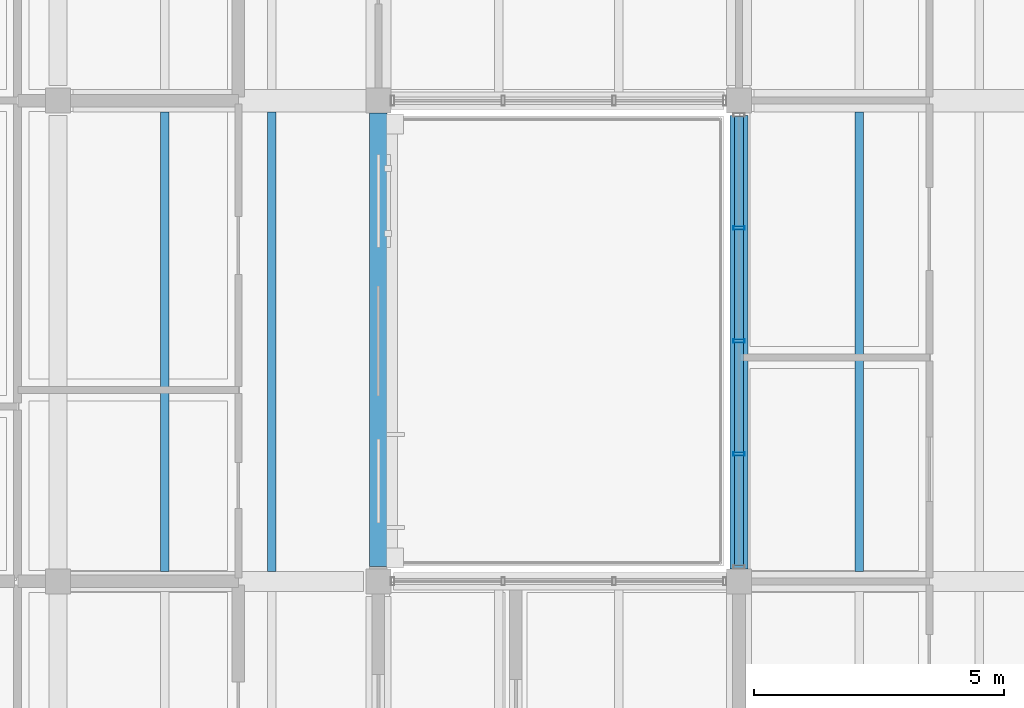
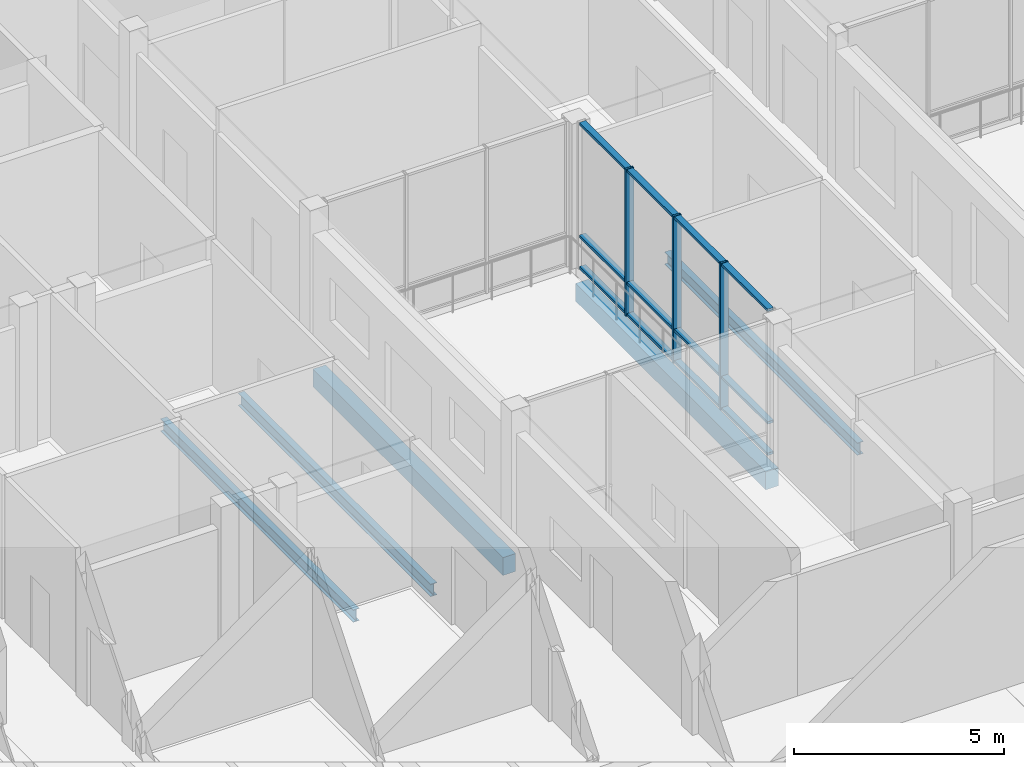
# One storey, part 83 of 146: 15 members, 5 beams, 1 element without a shape of its own.
"""IFC4 building model written with IfcOpenShell, lengths in metres."""

from ifc_helpers import new_model, si_unit, direction, frame, origin, origin_2d, place, context, subcontext, project, spatial, rectangle, hollow_rectangle, i_section, extrude, material, material_profile, profile_set, type_object, element, aggregate, save


model = new_model("IFC4")

# Units and contexts
model_context = context("Model", 3, precision=1e-05, world=origin(), true_north=direction((0.0, 1.0)))
body_context = subcontext(model_context, "Body", "Model", "MODEL_VIEW")
ifc_project = project(units=[si_unit("LENGTHUNIT", "METRE"), si_unit("AREAUNIT", "SQUARE_METRE"), si_unit("VOLUMEUNIT", "CUBIC_METRE"), si_unit("PLANEANGLEUNIT", "RADIAN"), si_unit("MASSUNIT", "GRAM", prefix="KILO")], contexts=[model_context])

# Site, building, storey
site_placement = place(None, origin())
site = spatial("IfcSite", under=ifc_project, at=site_placement, CompositionType="ELEMENT")
building_placement = place(site_placement, origin())
building = spatial("IfcBuilding", under=site, at=building_placement, Name="Hawrajan Terrace Health Centre", CompositionType="ELEMENT")
storey_placement = place(building_placement, frame((0.0, 0.0, 4.5)))
storey = spatial("IfcBuildingStorey", under=building, at=storey_placement, Name="L01", CompositionType="ELEMENT", Elevation=4.5)

# Curtain wall, members
ifc_material_1 = material(Name="Anodized bronze aluminium and low-E solar glazing", Category="aluminium")
curtain_wall_type = type_object("IfcCurtainWallType", Name="CW_Hall_SeriesD2", PredefinedType="USERDEFINED", material=ifc_material_1)
curtain_wall_placement = place(storey_placement, origin())
curtain_wall = element("IfcCurtainWall", 1, at=curtain_wall_placement, inside=storey, type_object=curtain_wall_type, Name="Curtain wall CW-L01-107", ObjectType="UNITISED CURTAIN WALL", PredefinedType="USERDEFINED")
ifc_material_2 = material(Name="Anodized bronze aluminium 6063-T6", Category="aluminium")
ifc_material_profile_1 = material_profile(ifc_material_2, hollow_rectangle(XDim=0.074951171875, YDim=0.219970703125, WallThickness=0.0048828125, at=origin_2d()), Name="CW MUL 75x220")
ifc_profile_set_1 = profile_set([ifc_material_profile_1], Name="Anodized bronze aluminium 6063-T6")
member_type_1 = type_object("IfcMemberType", Name="CWMullion_75x220", PredefinedType="MULLION", material=ifc_profile_set_1)
member_1_placement = place(storey_placement, frame((143.800048828125, 29.74365234375, -0.0048828125), z_axis=(0.0, 0.0, 1.0), x_axis=(0.0, 1.0, 0.0)))
member_1 = element("IfcMember", 2, at=member_1_placement, type_object=member_type_1, Name="Mullion CW-L01-107-M2", PredefinedType="MULLION", context=body_context, shape_type="SweptSolid", body=[
    extrude(hollow_rectangle(XDim=0.074951171875, YDim=0.219970703125, WallThickness=0.0048828125, at=origin_2d()), origin(), (0.0, 0.0, 1.0), 4.269775390625),
])
member_2_placement = place(storey_placement, frame((143.800048828125, 32.0, -0.0048828125), z_axis=(0.0, 0.0, 1.0), x_axis=(0.0, 1.0, 0.0)))
member_2 = element("IfcMember", 3, at=member_2_placement, type_object=member_type_1, Name="Mullion CW-L01-107-M3", PredefinedType="MULLION", context=body_context, shape_type="SweptSolid", body=[
    extrude(hollow_rectangle(XDim=0.074951171875, YDim=0.219970703125, WallThickness=0.0048828125, at=origin_2d()), origin(), (0.0, 0.0, 1.0), 4.269775390625),
])
member_3_placement = place(storey_placement, frame((143.800048828125, 34.256103515625, -0.0048828125), z_axis=(0.0, 0.0, 1.0), x_axis=(0.0, 1.0, 0.0)))
member_3 = element("IfcMember", 4, at=member_3_placement, type_object=member_type_1, Name="Mullion CW-L01-107-M4", PredefinedType="MULLION", context=body_context, shape_type="SweptSolid", body=[
    extrude(hollow_rectangle(XDim=0.074951171875, YDim=0.219970703125, WallThickness=0.0048828125, at=origin_2d()), origin(), (0.0, 0.0, 1.0), 4.269775390625),
])
ifc_material_profile_2 = material_profile(ifc_material_2, hollow_rectangle(XDim=0.074951171875, YDim=0.169921875, WallThickness=0.00439453125, at=origin_2d()), Name="CW TRN 75x170")
ifc_profile_set_2 = profile_set([ifc_material_profile_2], Name="Anodized bronze aluminium 6063-T6")
member_type_2 = type_object("IfcMemberType", Name="CWTransom_75x170", PredefinedType="USERDEFINED", material=ifc_profile_set_2)
member_4_placement = place(storey_placement, frame((143.800048828125, 27.51904296875, 0.03759765625), z_axis=(0.0, 1.0, 0.0), x_axis=(0.0, 0.0, 1.0)))
member_4 = element("IfcMember", 5, at=member_4_placement, type_object=member_type_2, Name="Transom CW-L01-107-T1-1", ObjectType="TRANSOM", PredefinedType="USERDEFINED", context=body_context, shape_type="SweptSolid", body=[
    extrude(hollow_rectangle(XDim=0.074951171875, YDim=0.169921875, WallThickness=0.00439453125, at=origin_2d()), origin(), (0.0, 0.0, 1.0), 2.193115234375),
])
member_5_placement = place(storey_placement, frame((143.800048828125, 27.51904296875, 0.949951171875), z_axis=(0.0, 1.0, 0.0), x_axis=(0.0, 0.0, 1.0)))
member_5 = element("IfcMember", 6, at=member_5_placement, type_object=member_type_2, Name="Transom CW-L01-107-T1-2", ObjectType="TRANSOM", PredefinedType="USERDEFINED", context=body_context, shape_type="SweptSolid", body=[
    extrude(hollow_rectangle(XDim=0.074951171875, YDim=0.169921875, WallThickness=0.00439453125, at=origin_2d()), origin(), (0.0, 0.0, 1.0), 2.193115234375),
])
member_6_placement = place(storey_placement, frame((143.800048828125, 27.51904296875, 4.222412109375), z_axis=(0.0, 1.0, 0.0), x_axis=(0.0, 0.0, 1.0)))
member_6 = element("IfcMember", 7, at=member_6_placement, type_object=member_type_2, Name="Transom CW-L01-107-T1-3", ObjectType="TRANSOM", PredefinedType="USERDEFINED", context=body_context, shape_type="SweptSolid", body=[
    extrude(hollow_rectangle(XDim=0.074951171875, YDim=0.169921875, WallThickness=0.00439453125, at=origin_2d()), origin(), (0.0, 0.0, 1.0), 2.193115234375),
])
member_7_placement = place(storey_placement, frame((143.800048828125, 29.775146484375, 0.03759765625), z_axis=(0.0, 1.0, 0.0), x_axis=(0.0, 0.0, 1.0)))
member_7 = element("IfcMember", 8, at=member_7_placement, type_object=member_type_2, Name="Transom CW-L01-107-T2-1", ObjectType="TRANSOM", PredefinedType="USERDEFINED", context=body_context, shape_type="SweptSolid", body=[
    extrude(hollow_rectangle(XDim=0.074951171875, YDim=0.169921875, WallThickness=0.00439453125, at=origin_2d()), origin(), (0.0, 0.0, 1.0), 2.193359375),
])
member_8_placement = place(storey_placement, frame((143.800048828125, 29.775146484375, 0.949951171875), z_axis=(0.0, 1.0, 0.0), x_axis=(0.0, 0.0, 1.0)))
member_8 = element("IfcMember", 9, at=member_8_placement, type_object=member_type_2, Name="Transom CW-L01-107-T2-2", ObjectType="TRANSOM", PredefinedType="USERDEFINED", context=body_context, shape_type="SweptSolid", body=[
    extrude(hollow_rectangle(XDim=0.074951171875, YDim=0.169921875, WallThickness=0.00439453125, at=origin_2d()), origin(), (0.0, 0.0, 1.0), 2.193359375),
])
member_9_placement = place(storey_placement, frame((143.800048828125, 29.775146484375, 4.222412109375), z_axis=(0.0, 1.0, 0.0), x_axis=(0.0, 0.0, 1.0)))
member_9 = element("IfcMember", 10, at=member_9_placement, type_object=member_type_2, Name="Transom CW-L01-107-T2-3", ObjectType="TRANSOM", PredefinedType="USERDEFINED", context=body_context, shape_type="SweptSolid", body=[
    extrude(hollow_rectangle(XDim=0.074951171875, YDim=0.169921875, WallThickness=0.00439453125, at=origin_2d()), origin(), (0.0, 0.0, 1.0), 2.193359375),
])
member_10_placement = place(storey_placement, frame((143.800048828125, 32.031494140625, 0.03759765625), z_axis=(0.0, 1.0, 0.0), x_axis=(0.0, 0.0, 1.0)))
member_10 = element("IfcMember", 11, at=member_10_placement, type_object=member_type_2, Name="Transom CW-L01-107-T3-1", ObjectType="TRANSOM", PredefinedType="USERDEFINED", context=body_context, shape_type="SweptSolid", body=[
    extrude(hollow_rectangle(XDim=0.074951171875, YDim=0.169921875, WallThickness=0.00439453125, at=origin_2d()), origin(), (0.0, 0.0, 1.0), 2.193359375),
])
member_11_placement = place(storey_placement, frame((143.800048828125, 32.031494140625, 0.949951171875), z_axis=(0.0, 1.0, 0.0), x_axis=(0.0, 0.0, 1.0)))
member_11 = element("IfcMember", 12, at=member_11_placement, type_object=member_type_2, Name="Transom CW-L01-107-T3-2", ObjectType="TRANSOM", PredefinedType="USERDEFINED", context=body_context, shape_type="SweptSolid", body=[
    extrude(hollow_rectangle(XDim=0.074951171875, YDim=0.169921875, WallThickness=0.00439453125, at=origin_2d()), origin(), (0.0, 0.0, 1.0), 2.193359375),
])
member_12_placement = place(storey_placement, frame((143.800048828125, 32.031494140625, 4.222412109375), z_axis=(0.0, 1.0, 0.0), x_axis=(0.0, 0.0, 1.0)))
member_12 = element("IfcMember", 13, at=member_12_placement, type_object=member_type_2, Name="Transom CW-L01-107-T3-3", ObjectType="TRANSOM", PredefinedType="USERDEFINED", context=body_context, shape_type="SweptSolid", body=[
    extrude(hollow_rectangle(XDim=0.074951171875, YDim=0.169921875, WallThickness=0.00439453125, at=origin_2d()), origin(), (0.0, 0.0, 1.0), 2.193359375),
])
member_13_placement = place(storey_placement, frame((143.800048828125, 34.28759765625, 0.03759765625), z_axis=(0.0, 1.0, 0.0), x_axis=(0.0, 0.0, 1.0)))
member_13 = element("IfcMember", 14, at=member_13_placement, type_object=member_type_2, Name="Transom CW-L01-107-T4-1", ObjectType="TRANSOM", PredefinedType="USERDEFINED", context=body_context, shape_type="SweptSolid", body=[
    extrude(hollow_rectangle(XDim=0.074951171875, YDim=0.169921875, WallThickness=0.00439453125, at=origin_2d()), origin(), (0.0, 0.0, 1.0), 2.193359375),
])
member_14_placement = place(storey_placement, frame((143.800048828125, 34.28759765625, 0.949951171875), z_axis=(0.0, 1.0, 0.0), x_axis=(0.0, 0.0, 1.0)))
member_14 = element("IfcMember", 15, at=member_14_placement, type_object=member_type_2, Name="Transom CW-L01-107-T4-2", ObjectType="TRANSOM", PredefinedType="USERDEFINED", context=body_context, shape_type="SweptSolid", body=[
    extrude(hollow_rectangle(XDim=0.074951171875, YDim=0.169921875, WallThickness=0.00439453125, at=origin_2d()), origin(), (0.0, 0.0, 1.0), 2.193359375),
])
member_15_placement = place(storey_placement, frame((143.800048828125, 34.28759765625, 4.222412109375), z_axis=(0.0, 1.0, 0.0), x_axis=(0.0, 0.0, 1.0)))
member_15 = element("IfcMember", 16, at=member_15_placement, type_object=member_type_2, Name="Transom CW-L01-107-T4-3", ObjectType="TRANSOM", PredefinedType="USERDEFINED", context=body_context, shape_type="SweptSolid", body=[
    extrude(hollow_rectangle(XDim=0.074951171875, YDim=0.169921875, WallThickness=0.00439453125, at=origin_2d()), origin(), (0.0, 0.0, 1.0), 2.193359375),
])
aggregate(curtain_wall, [member_1, member_2, member_3, member_4, member_5, member_6, member_7, member_8, member_9, member_10, member_11, member_12, member_13, member_14, member_15])

# Beams
ifc_material_3 = material(Name="Concrete C40/50", Category="concrete")
ifc_material_profile_3 = material_profile(ifc_material_3, rectangle(XDim=0.35009765625, YDim=0.52001953125, at=origin_2d()), Name="RC SP 350x520")
ifc_profile_set_3 = profile_set([ifc_material_profile_3], Name="Concrete C40/50")
beam_type_1 = type_object("IfcBeamType", Name="RCSpandrel_350x520", PredefinedType="SPANDREL", material=ifc_profile_set_3)
for number, where, z_axis, x_axis, name in (
    (17, (136.60009765625, 27.5, -0.659912109375), (0.0, 1.0, 0.0), (-1.0, 0.0, 0.0), "Beam BM-Y-L01-E-X18-4"),
    (18, (143.800048828125, 27.449951171875, -0.659912109375), (0.0, 1.0, 0.0), (-1.0, 0.0, 0.0), "Beam BM-Y-L01-E-X19-4"),
):
    element("IfcBeam", number, at=place(storey_placement, frame(where, z_axis=z_axis, x_axis=x_axis)), inside=storey, type_object=beam_type_1, Name=name, PredefinedType="SPANDREL", context=body_context, shape_type="SweptSolid", body=[
        extrude(rectangle(XDim=0.35009765625, YDim=0.52001953125, at=origin_2d()), origin(), (0.0, 0.0, 1.0), 9.050048828125),
    ])
ifc_material_4 = material(Name="Steel S355", Category="steel")
ifc_material_profile_4 = material_profile(ifc_material_4, i_section(OverallWidth=0.169921875, OverallDepth=0.360107421875, WebThickness=0.008056640625, FlangeThickness=0.0126953125, FilletRadius=0.01806640625, at=origin_2d()), Name="IPE 360")
ifc_profile_set_4 = profile_set([ifc_material_profile_4], Name="Steel S355")
beam_type_2 = type_object("IfcBeamType", Name="SteelBeam_IPE360", PredefinedType="BEAM", material=ifc_profile_set_4)
for number, where, z_axis, x_axis, name in (
    (19, (132.333251953125, 27.39990234375, -0.580078125), (0.0, 1.0, 0.0), (-1.0, 0.0, 0.0), "Secondary joist JST-L01-E-17-4-1"),
    (20, (134.466796875, 27.39990234375, -0.580078125), (0.0, 1.0, 0.0), (-1.0, 0.0, 0.0), "Secondary joist JST-L01-E-17-4-2"),
    (21, (146.199951171875, 27.39990234375, -0.580078125), (0.0, 1.0, 0.0), (-1.0, 0.0, 0.0), "Secondary joist JST-L01-E-19-4-1"),
):
    element("IfcBeam", number, at=place(storey_placement, frame(where, z_axis=z_axis, x_axis=x_axis)), inside=storey, type_object=beam_type_2, Name=name, PredefinedType="BEAM", context=body_context, shape_type="SweptSolid", body=[
        extrude(i_section(OverallWidth=0.169921875, OverallDepth=0.360107421875, WebThickness=0.008056640625, FlangeThickness=0.0126953125, FilletRadius=0.01806640625, at=origin_2d()), origin(), (0.0, 0.0, 1.0), 9.175048828125),
    ])

save(model, "model.ifc")
